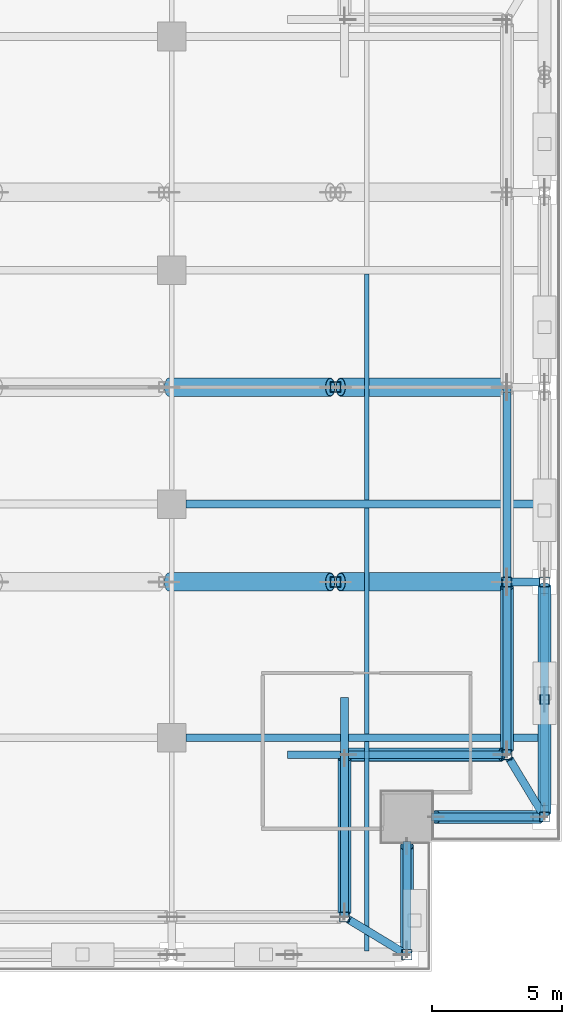
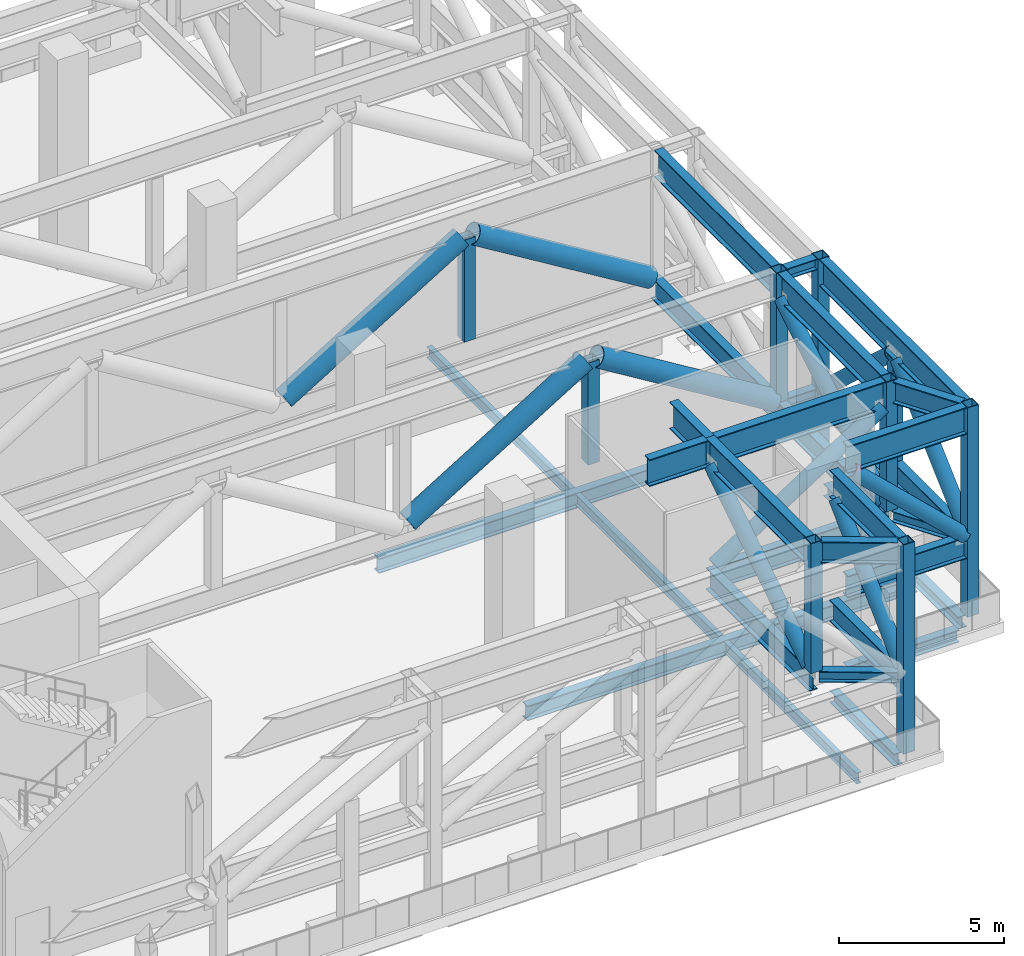
# One storey, part 3 of 15: 36 members, 14 beams.
"""IFC4 building model written with IfcOpenShell, lengths in metres."""

from ifc_helpers import new_model, si_unit, direction, frame, origin, origin_2d, place, context, subcontext, project, spatial, hollow_rectangle, hollow_circle, i_section, extrude, source, transform, mapped, material, material_profile, profile_set, type_object, element, save


model = new_model("IFC4")

# Units and contexts
model_context = context("Model", 3, precision=1e-05, world=origin(), true_north=direction((0.0, 1.0)))
body_context = subcontext(model_context, "Body", "Model", "MODEL_VIEW")
ifc_project = project(units=[si_unit("LENGTHUNIT", "METRE"), si_unit("AREAUNIT", "SQUARE_METRE"), si_unit("VOLUMEUNIT", "CUBIC_METRE"), si_unit("PLANEANGLEUNIT", "RADIAN"), si_unit("MASSUNIT", "GRAM", prefix="KILO")], contexts=[model_context])

# Site, building, storey
site_placement = place(None, origin())
site = spatial("IfcSite", under=ifc_project, at=site_placement, CompositionType="ELEMENT")
building_placement = place(site_placement, origin())
building = spatial("IfcBuilding", under=site, at=building_placement, Name="Khomas Fold Tower", CompositionType="ELEMENT")
storey_placement = place(building_placement, frame((0.0, 0.0, 274.199951171875)))
storey = spatial("IfcBuildingStorey", under=building, at=storey_placement, Name="L62", CompositionType="ELEMENT", Elevation=274.199951171875)

# Beams
ifc_material_1 = material(Name="Steel S355", Category="steel")
ifc_material_profile_1 = material_profile(ifc_material_1, i_section(OverallWidth=0.179931640625, OverallDepth=0.39990234375, WebThickness=0.008544921875, FlangeThickness=0.013427734375, at=origin_2d()), Name="IPE 400")
ifc_profile_set_1 = profile_set([ifc_material_profile_1], Name="Steel S355")
beam_type_1 = type_object("IfcBeamType", Name="IPE 400 beam JB3", PredefinedType="BEAM", material=ifc_profile_set_1)
shared_shape_1 = source(origin(), body_context, "Body", "SweptSolid", [
    extrude(i_section(OverallWidth=0.179931640625, OverallDepth=0.39990234375, WebThickness=0.008544921875, FlangeThickness=0.013427734375, at=origin_2d()), origin(), (0.0, 0.0, 1.0), 8.7001953125),
])
for number, where, z_axis, x_axis, name in (
    (1, (42.0, 13.64990234375, -0.599853515625), (0.0, 1.0, 0.0), (-1.0, 0.0, 0.0), "JB3"),
    (2, (42.0, 22.64990234375, -0.599853515625), (0.0, 1.0, 0.0), (-1.0, 0.0, 0.0), "JB3"),
):
    element("IfcBeam", number, at=place(storey_placement, frame(where, z_axis=z_axis, x_axis=x_axis)), inside=storey, type_object=beam_type_1, Name=name, PredefinedType="BEAM", context=body_context, shape_type="MappedRepresentation", body=[
        mapped(shared_shape_1, transform((0.0, 0.0, 0.0))),
    ])
ifc_material_2 = material(Name="Steel S355", Category="steel")
ifc_material_profile_2 = material_profile(ifc_material_2, i_section(OverallWidth=0.300048828125, OverallDepth=0.449951171875, WebThickness=0.013916015625, FlangeThickness=0.02587890625, at=origin_2d()), Name="HE 450 B")
ifc_profile_set_2 = profile_set([ifc_material_profile_2], Name="Steel S355")
beam_type_2 = type_object("IfcBeamType", Name="HE 450 B spandrel SB4", PredefinedType="SPANDREL", material=ifc_profile_set_2)
shared_shape_2 = source(origin(), body_context, "Body", "SweptSolid", [
    extrude(i_section(OverallWidth=0.300048828125, OverallDepth=0.449951171875, WebThickness=0.013916015625, FlangeThickness=0.02587890625, at=origin_2d()), origin(), (0.0, 0.0, 1.0), 8.150146484375),
])
beam_1_placement = place(storey_placement, frame((48.85009765625, 10.89990234375, -0.625), z_axis=(0.0, 1.0, 0.0), x_axis=(-1.0, 0.0, 0.0)))
element("IfcBeam", 3, at=beam_1_placement, inside=storey, type_object=beam_type_2, Name="SB4", PredefinedType="SPANDREL", context=body_context, shape_type="MappedRepresentation", body=[
    mapped(shared_shape_2, transform((0.0, 0.0, 0.0))),
])
shared_shape_3 = source(origin(), body_context, "Body", "SweptSolid", [
    extrude(i_section(OverallWidth=0.300048828125, OverallDepth=0.449951171875, WebThickness=0.013916015625, FlangeThickness=0.02587890625, at=origin_2d()), origin(), (0.0, 0.0, 1.0), 3.89990234375),
])
for number, where, z_axis, x_axis, name in (
    (4, (43.550048828125, 5.60009765625, -0.625), (0.0, 1.0, 0.0), (-1.0, 0.0, 0.0), "SB4"),
    (5, (44.5, 10.449951171875, -0.625), (1.0, 0.0, 0.0), (0.0, 1.0, 0.0), "SB4"),
):
    element("IfcBeam", number, at=place(storey_placement, frame(where, z_axis=z_axis, x_axis=x_axis)), inside=storey, type_object=beam_type_2, Name=name, PredefinedType="SPANDREL", context=body_context, shape_type="MappedRepresentation", body=[
        mapped(shared_shape_3, transform((0.0, 0.0, 0.0))),
    ])
ifc_material_3 = material(Name="Steel S355", Category="steel")
ifc_material_profile_3 = material_profile(ifc_material_3, i_section(OverallWidth=0.300048828125, OverallDepth=0.550048828125, WebThickness=0.014892578125, FlangeThickness=0.029052734375, at=origin_2d()), Name="HE 550 B")
ifc_profile_set_3 = profile_set([ifc_material_profile_3], Name="Steel S355")
beam_type_3 = type_object("IfcBeamType", Name="HE 550 B beam GB4", PredefinedType="BEAM", material=ifc_profile_set_3)
shared_shape_4 = source(origin(), body_context, "Body", "SweptSolid", [
    extrude(i_section(OverallWidth=0.300048828125, OverallDepth=0.550048828125, WebThickness=0.014892578125, FlangeThickness=0.029052734375, at=origin_2d()), origin(), (0.0, 0.0, 1.0), 13.64990234375),
])
for number, where, z_axis, x_axis, name in (
    (6, (35.050048828125, 13.5, -0.675048828125), (1.0, 0.0, 0.0), (0.0, 1.0, 0.0), "GB4"),
    (7, (35.050048828125, 22.5, -0.675048828125), (1.0, 0.0, 0.0), (0.0, 1.0, 0.0), "GB4"),
):
    element("IfcBeam", number, at=place(storey_placement, frame(where, z_axis=z_axis, x_axis=x_axis)), inside=storey, type_object=beam_type_3, Name=name, PredefinedType="BEAM", context=body_context, shape_type="MappedRepresentation", body=[
        mapped(shared_shape_4, transform((0.0, 0.0, 0.0))),
    ])
shared_shape_5 = source(origin(), body_context, "Body", "SweptSolid", [
    extrude(i_section(OverallWidth=0.179931640625, OverallDepth=0.39990234375, WebThickness=0.008544921875, FlangeThickness=0.013427734375, at=origin_2d()), origin(), (0.0, 0.0, 1.0), 8.050048828125),
])
beam_2_placement = place(storey_placement, frame((42.0, 5.300048828125, -0.599853515625), z_axis=(0.0, 1.0, 0.0), x_axis=(-1.0, 0.0, 0.0)))
element("IfcBeam", 8, at=beam_2_placement, inside=storey, type_object=beam_type_1, Name="JB3", PredefinedType="BEAM", context=body_context, shape_type="MappedRepresentation", body=[
    mapped(shared_shape_5, transform((0.0, 0.0, 0.0))),
])

# Members
ifc_material_4 = material(Name="Steel S460M", Category="steel")
ifc_material_profile_4 = material_profile(ifc_material_4, i_section(OverallWidth=0.300048828125, OverallDepth=1.0, WebThickness=0.01904296875, FlangeThickness=0.035888671875, at=origin_2d()), Name="HE 1000 B")
ifc_profile_set_4 = profile_set([ifc_material_profile_4], Name="Steel S460M")
member_type_1 = type_object("IfcMemberType", Name="BELT TRUSS 4 TOP CHORD HE 1000 B", PredefinedType="CHORD", material=ifc_profile_set_4)
shared_shape_6 = source(origin(), body_context, "Body", "SweptSolid", [
    extrude(i_section(OverallWidth=0.300048828125, OverallDepth=1.0, WebThickness=0.01904296875, FlangeThickness=0.035888671875, at=origin_2d()), origin(), (0.0, 0.0, 1.0), 8.650146484375),
])
member_1_placement = place(storey_placement, frame((48.85009765625, 10.64990234375, 7.25), z_axis=(0.0, 1.0, 0.0), x_axis=(-1.0, 0.0, 0.0)))
element("IfcMember", 9, at=member_1_placement, inside=storey, type_object=member_type_1, Name="BT4-CT", PredefinedType="CHORD", context=body_context, shape_type="MappedRepresentation", body=[
    mapped(shared_shape_6, transform((0.0, 0.0, 0.0))),
])
ifc_material_5 = material(Name="Steel S460M", Category="steel")
ifc_material_profile_5 = material_profile(ifc_material_5, i_section(OverallWidth=0.300048828125, OverallDepth=0.800048828125, WebThickness=0.017578125, FlangeThickness=0.032958984375, at=origin_2d()), Name="HE 800 B")
ifc_profile_set_5 = profile_set([ifc_material_profile_5], Name="Steel S460M")
member_type_2 = type_object("IfcMemberType", Name="BELT TRUSS 4 BOTTOM CHORD HE 800 B", PredefinedType="CHORD", material=ifc_profile_set_5)
shared_shape_7 = source(origin(), body_context, "Body", "SweptSolid", [
    extrude(i_section(OverallWidth=0.300048828125, OverallDepth=0.800048828125, WebThickness=0.017578125, FlangeThickness=0.032958984375, at=origin_2d()), origin(), (0.0, 0.0, 1.0), 8.650146484375),
])
member_2_placement = place(storey_placement, frame((48.85009765625, 10.64990234375, 2.550048828125), z_axis=(0.0, 1.0, 0.0), x_axis=(-1.0, 0.0, 0.0)))
element("IfcMember", 10, at=member_2_placement, inside=storey, type_object=member_type_2, Name="BT4-CB", PredefinedType="CHORD", context=body_context, shape_type="MappedRepresentation", body=[
    mapped(shared_shape_7, transform((0.0, 0.0, 0.0))),
])
ifc_material_6 = material(Name="Steel S355", Category="steel")
ifc_material_profile_6 = material_profile(ifc_material_6, hollow_circle(Radius=0.25390625, WallThickness=0.02001953125, at=origin_2d()), Name="CHS 508x20")
ifc_profile_set_6 = profile_set([ifc_material_profile_6], Name="Steel S355")
member_type_3 = type_object("IfcMemberType", Name="BELT TRUSS 4 DIAGONAL CHS 508x20", PredefinedType="BRACE", material=ifc_profile_set_6)
shared_shape_8 = source(origin(), body_context, "Body", "SweptSolid", [
    extrude(hollow_circle(Radius=0.25390625, WallThickness=0.02001953125, at=origin_2d()), origin(), (0.0, 0.0, 1.0), 5.6337890625),
])
for number, where, z_axis, x_axis, name in (
    (11, (48.85009765625, 10.64990234375, 2.945068359375), (0.0, 0.736644872109, 0.676279773759), (-1.0, 0.0, 0.0), "BT4-D"),
    (12, (48.85009765625, 15.14990234375, 6.755126953125), (0.0, 0.736644872109, -0.676279773759), (-1.0, 0.0, 0.0), "BT4-D"),
):
    element("IfcMember", number, at=place(storey_placement, frame(where, z_axis=z_axis, x_axis=x_axis)), inside=storey, type_object=member_type_3, Name=name, PredefinedType="BRACE", context=body_context, shape_type="MappedRepresentation", body=[
        mapped(shared_shape_8, transform((0.0, 0.0, 0.0))),
    ])
ifc_material_7 = material(Name="Steel S355", Category="steel")
ifc_material_profile_7 = material_profile(ifc_material_7, hollow_rectangle(XDim=0.35009765625, YDim=0.35009765625, WallThickness=0.02001953125, at=origin_2d()), Name="SHS 350x350x20")
ifc_profile_set_7 = profile_set([ifc_material_profile_7], Name="Steel S355")
member_type_4 = type_object("IfcMemberType", Name="BELT TRUSS 4 MID POST SHS 350x350x20", PredefinedType="POST", material=ifc_profile_set_7)
shared_shape_9 = source(origin(), body_context, "Body", "SweptSolid", [
    extrude(hollow_rectangle(XDim=0.35009765625, YDim=0.35009765625, WallThickness=0.02001953125, at=origin_2d()), origin(), (0.0, 0.0, 1.0), 3.800048828125),
])
member_3_placement = place(storey_placement, frame((48.85009765625, 14.97509765625, 2.949951171875), z_axis=(0.0, 0.0, 1.0), x_axis=(1.0, 0.0, 0.0)))
element("IfcMember", 13, at=member_3_placement, inside=storey, type_object=member_type_4, Name="BT4-M", PredefinedType="POST", context=body_context, shape_type="MappedRepresentation", body=[
    mapped(shared_shape_9, transform((0.0, 0.0, 0.0))),
])
shared_shape_10 = source(origin(), body_context, "Body", "SweptSolid", [
    extrude(i_section(OverallWidth=0.300048828125, OverallDepth=1.0, WebThickness=0.01904296875, FlangeThickness=0.035888671875, at=origin_2d()), origin(), (0.0, 0.0, 1.0), 7.10009765625),
])
member_4_placement = place(storey_placement, frame((47.39990234375, 19.699951171875, 7.25), z_axis=(0.0, 1.0, 0.0), x_axis=(-1.0, 0.0, 0.0)))
element("IfcMember", 14, at=member_4_placement, inside=storey, type_object=member_type_1, Name="BT4-CT", PredefinedType="CHORD", context=body_context, shape_type="MappedRepresentation", body=[
    mapped(shared_shape_10, transform((0.0, 0.0, 0.0))),
])
ifc_material_8 = material(Name="Steel S460M", Category="steel")
ifc_material_profile_8 = material_profile(ifc_material_8, i_section(OverallWidth=0.300048828125, OverallDepth=1.0, WebThickness=0.01904296875, FlangeThickness=0.035888671875, at=origin_2d()), Name="HE 1000 B")
ifc_profile_set_8 = profile_set([ifc_material_profile_8], Name="Steel S460M")
member_type_5 = type_object("IfcMemberType", Name="BELT TRUSS 4 TOP CHORD SHORT HE 1000 B", PredefinedType="CHORD", material=ifc_profile_set_8)
shared_shape_11 = source(origin(), body_context, "Body", "SweptSolid", [
    extrude(i_section(OverallWidth=0.300048828125, OverallDepth=1.0, WebThickness=0.01904296875, FlangeThickness=0.035888671875, at=origin_2d()), origin(), (0.0, 0.0, 1.0), 4.14990234375),
])
for number, where, z_axis, x_axis, name in (
    (15, (43.550048828125, 5.35009765625, 7.25), (0.0, 1.0, 0.0), (-1.0, 0.0, 0.0), "BT4-CTS"),
    (16, (48.64990234375, 10.449951171875, 7.25), (-1.0, 0.0, 0.0), (0.0, -1.0, 0.0), "BT4-CTS"),
):
    element("IfcMember", number, at=place(storey_placement, frame(where, z_axis=z_axis, x_axis=x_axis)), inside=storey, type_object=member_type_5, Name=name, PredefinedType="CHORD", context=body_context, shape_type="MappedRepresentation", body=[
        mapped(shared_shape_11, transform((0.0, 0.0, 0.0))),
    ])
ifc_material_9 = material(Name="Steel S460M", Category="steel")
ifc_material_profile_9 = material_profile(ifc_material_9, i_section(OverallWidth=0.300048828125, OverallDepth=0.800048828125, WebThickness=0.017578125, FlangeThickness=0.032958984375, at=origin_2d()), Name="HE 800 B")
ifc_profile_set_9 = profile_set([ifc_material_profile_9], Name="Steel S460M")
member_type_6 = type_object("IfcMemberType", Name="BELT TRUSS 4 BOTTOM CHORD SHORT HE 800 B", PredefinedType="CHORD", material=ifc_profile_set_9)
shared_shape_12 = source(origin(), body_context, "Body", "SweptSolid", [
    extrude(i_section(OverallWidth=0.300048828125, OverallDepth=0.800048828125, WebThickness=0.017578125, FlangeThickness=0.032958984375, at=origin_2d()), origin(), (0.0, 0.0, 1.0), 4.14990234375),
])
for number, where, z_axis, x_axis, name in (
    (17, (43.550048828125, 5.35009765625, 2.550048828125), (0.0, 1.0, 0.0), (-1.0, 0.0, 0.0), "BT4-CBS"),
    (18, (48.64990234375, 10.449951171875, 2.550048828125), (-1.0, 0.0, 0.0), (0.0, -1.0, 0.0), "BT4-CBS"),
):
    element("IfcMember", number, at=place(storey_placement, frame(where, z_axis=z_axis, x_axis=x_axis)), inside=storey, type_object=member_type_6, Name=name, PredefinedType="CHORD", context=body_context, shape_type="MappedRepresentation", body=[
        mapped(shared_shape_12, transform((0.0, 0.0, 0.0))),
    ])
shared_shape_13 = source(origin(), body_context, "Body", "SweptSolid", [
    extrude(hollow_circle(Radius=0.25390625, WallThickness=0.02001953125, at=origin_2d()), origin(), (0.0, 0.0, 1.0), 5.508544921875),
])
for number, where, z_axis, x_axis, name in (
    (19, (43.550048828125, 5.35009765625, 2.945068359375), (0.0, 0.722210494752, 0.691673334219), (-1.0, 0.0, 0.0), "BT4-D"),
    (20, (48.64990234375, 10.449951171875, 2.945068359375), (-0.722210494752, 0.0, 0.691673334219), (0.0, -1.0, 0.0), "BT4-D"),
):
    element("IfcMember", number, at=place(storey_placement, frame(where, z_axis=z_axis, x_axis=x_axis)), inside=storey, type_object=member_type_3, Name=name, PredefinedType="BRACE", context=body_context, shape_type="MappedRepresentation", body=[
        mapped(shared_shape_13, transform((0.0, 0.0, 0.0))),
    ])
shared_shape_14 = source(origin(), body_context, "Body", "SweptSolid", [
    extrude(i_section(OverallWidth=0.300048828125, OverallDepth=1.0, WebThickness=0.01904296875, FlangeThickness=0.035888671875, at=origin_2d()), origin(), (0.0, 0.0, 1.0), 6.25),
])
member_5_placement = place(storey_placement, frame((47.39990234375, 13.050048828125, 7.25), z_axis=(0.0, 1.0, 0.0), x_axis=(-1.0, 0.0, 0.0)))
element("IfcMember", 21, at=member_5_placement, inside=storey, type_object=member_type_1, Name="BT4-CT", PredefinedType="CHORD", context=body_context, shape_type="MappedRepresentation", body=[
    mapped(shared_shape_14, transform((0.0, 0.0, 0.0))),
])
shared_shape_15 = source(origin(), body_context, "Body", "SweptSolid", [
    extrude(hollow_circle(Radius=0.25390625, WallThickness=0.02001953125, at=origin_2d()), origin(), (0.0, 0.0, 1.0), 7.31982421875),
])
member_6_placement = place(storey_placement, frame((47.39990234375, 13.050048828125, 2.945068359375), z_axis=(0.0, 0.853851856649, 0.520516096674), x_axis=(-1.0, 0.0, 0.0)))
element("IfcMember", 22, at=member_6_placement, inside=storey, type_object=member_type_3, Name="BT4-D", PredefinedType="BRACE", context=body_context, shape_type="MappedRepresentation", body=[
    mapped(shared_shape_15, transform((0.0, 0.0, 0.0))),
])
shared_shape_16 = source(origin(), body_context, "Body", "SweptSolid", [
    extrude(i_section(OverallWidth=0.300048828125, OverallDepth=0.800048828125, WebThickness=0.017578125, FlangeThickness=0.032958984375, at=origin_2d()), origin(), (0.0, 0.0, 1.0), 7.5),
])
member_7_placement = place(storey_placement, frame((47.39990234375, 19.5, 2.550048828125), z_axis=(0.0, 1.0, 0.0), x_axis=(-1.0, 0.0, 0.0)))
element("IfcMember", 23, at=member_7_placement, inside=storey, type_object=member_type_2, Name="BT4-CB", PredefinedType="CHORD", context=body_context, shape_type="MappedRepresentation", body=[
    mapped(shared_shape_16, transform((0.0, 0.0, 0.0))),
])
shared_shape_17 = source(origin(), body_context, "Body", "SweptSolid", [
    extrude(i_section(OverallWidth=0.300048828125, OverallDepth=0.800048828125, WebThickness=0.017578125, FlangeThickness=0.032958984375, at=origin_2d()), origin(), (0.0, 0.0, 1.0), 6.64990234375),
])
member_8_placement = place(storey_placement, frame((47.39990234375, 12.85009765625, 2.550048828125), z_axis=(0.0, 1.0, 0.0), x_axis=(-1.0, 0.0, 0.0)))
element("IfcMember", 24, at=member_8_placement, inside=storey, type_object=member_type_2, Name="BT4-CB", PredefinedType="CHORD", context=body_context, shape_type="MappedRepresentation", body=[
    mapped(shared_shape_17, transform((0.0, 0.0, 0.0))),
])
shared_shape_18 = source(origin(), body_context, "Body", "SweptSolid", [
    extrude(i_section(OverallWidth=0.300048828125, OverallDepth=1.0, WebThickness=0.01904296875, FlangeThickness=0.035888671875, at=origin_2d()), origin(), (0.0, 0.0, 1.0), 6.050048828125),
])
member_9_placement = place(storey_placement, frame((41.14990234375, 6.800048828125, 7.25), z_axis=(0.0, 1.0, 0.0), x_axis=(-1.0, 0.0, 0.0)))
element("IfcMember", 25, at=member_9_placement, inside=storey, type_object=member_type_5, Name="BT4-CTS", PredefinedType="CHORD", context=body_context, shape_type="MappedRepresentation", body=[
    mapped(shared_shape_18, transform((0.0, 0.0, 0.0))),
])
shared_shape_19 = source(origin(), body_context, "Body", "SweptSolid", [
    extrude(i_section(OverallWidth=0.300048828125, OverallDepth=0.800048828125, WebThickness=0.017578125, FlangeThickness=0.032958984375, at=origin_2d()), origin(), (0.0, 0.0, 1.0), 6.25),
])
member_10_placement = place(storey_placement, frame((41.14990234375, 6.60009765625, 2.550048828125), z_axis=(0.0, 1.0, 0.0), x_axis=(-1.0, 0.0, 0.0)))
element("IfcMember", 26, at=member_10_placement, inside=storey, type_object=member_type_2, Name="BT4-CB", PredefinedType="CHORD", context=body_context, shape_type="MappedRepresentation", body=[
    mapped(shared_shape_19, transform((0.0, 0.0, 0.0))),
])
shared_shape_20 = source(origin(), body_context, "Body", "SweptSolid", [
    extrude(hollow_circle(Radius=0.25390625, WallThickness=0.02001953125, at=origin_2d()), origin(), (0.0, 0.0, 1.0), 7.03564453125),
])
member_11_placement = place(storey_placement, frame((41.14990234375, 6.800048828125, 2.945068359375), z_axis=(0.0, 0.840680917797, 0.541530788093), x_axis=(-1.0, 0.0, 0.0)))
element("IfcMember", 27, at=member_11_placement, inside=storey, type_object=member_type_3, Name="BT4-D", PredefinedType="BRACE", context=body_context, shape_type="MappedRepresentation", body=[
    mapped(shared_shape_20, transform((0.0, 0.0, 0.0))),
])
shared_shape_21 = source(origin(), body_context, "Body", "SweptSolid", [
    extrude(i_section(OverallWidth=0.300048828125, OverallDepth=1.0, WebThickness=0.01904296875, FlangeThickness=0.035888671875, at=origin_2d()), origin(), (0.0, 0.0, 1.0), 5.89990234375),
])
member_12_placement = place(storey_placement, frame((47.199951171875, 12.85009765625, 7.25), z_axis=(-1.0, 0.0, 0.0), x_axis=(0.0, -1.0, 0.0)))
element("IfcMember", 28, at=member_12_placement, inside=storey, type_object=member_type_5, Name="BT4-CTS", PredefinedType="CHORD", context=body_context, shape_type="MappedRepresentation", body=[
    mapped(shared_shape_21, transform((0.0, 0.0, 0.0))),
])
shared_shape_22 = source(origin(), body_context, "Body", "SweptSolid", [
    extrude(i_section(OverallWidth=0.300048828125, OverallDepth=0.800048828125, WebThickness=0.017578125, FlangeThickness=0.032958984375, at=origin_2d()), origin(), (0.0, 0.0, 1.0), 5.949951171875),
])
member_13_placement = place(storey_placement, frame((47.25, 12.85009765625, 2.550048828125), z_axis=(-1.0, 0.0, 0.0), x_axis=(0.0, -1.0, 0.0)))
element("IfcMember", 29, at=member_13_placement, inside=storey, type_object=member_type_6, Name="BT4-CBS", PredefinedType="CHORD", context=body_context, shape_type="MappedRepresentation", body=[
    mapped(shared_shape_22, transform((0.0, 0.0, 0.0))),
])
shared_shape_23 = source(origin(), body_context, "Body", "SweptSolid", [
    extrude(hollow_circle(Radius=0.25390625, WallThickness=0.02001953125, at=origin_2d()), origin(), (0.0, 0.0, 1.0), 7.023193359375),
])
member_14_placement = place(storey_placement, frame((47.199951171875, 12.85009765625, 6.755126953125), z_axis=(-0.840058520302, 0.0, -0.542495790277), x_axis=(0.0, -1.0, 0.0)))
element("IfcMember", 30, at=member_14_placement, inside=storey, type_object=member_type_3, Name="BT4-D", PredefinedType="BRACE", context=body_context, shape_type="MappedRepresentation", body=[
    mapped(shared_shape_23, transform((0.0, 0.0, 0.0))),
])
ifc_material_10 = material(Name="Steel S460M", Category="steel")
ifc_material_profile_10 = material_profile(ifc_material_10, i_section(OverallWidth=0.300048828125, OverallDepth=1.0, WebThickness=0.01904296875, FlangeThickness=0.035888671875, at=origin_2d()), Name="HE 1000 B")
ifc_profile_set_10 = profile_set([ifc_material_profile_10], Name="Steel S460M")
member_type_7 = type_object("IfcMemberType", Name="BELT TRUSS 4 TOP CHORD SHORTER HE 1000 B", PredefinedType="CHORD", material=ifc_profile_set_10)
shared_shape_24 = source(origin(), body_context, "Body", "SweptSolid", [
    extrude(i_section(OverallWidth=0.300048828125, OverallDepth=1.0, WebThickness=0.01904296875, FlangeThickness=0.035888671875, at=origin_2d()), origin(), (0.0, 0.0, 1.0), 2.199951171875),
])
member_15_placement = place(storey_placement, frame((41.14990234375, 12.85009765625, 7.25), z_axis=(0.0, 1.0, 0.0), x_axis=(-1.0, 0.0, 0.0)))
element("IfcMember", 31, at=member_15_placement, inside=storey, type_object=member_type_7, Name="BT4-CTSS", PredefinedType="CHORD", context=body_context, shape_type="MappedRepresentation", body=[
    mapped(shared_shape_24, transform((0.0, 0.0, 0.0))),
])
shared_shape_25 = source(origin(), body_context, "Body", "SweptSolid", [
    extrude(i_section(OverallWidth=0.300048828125, OverallDepth=1.0, WebThickness=0.01904296875, FlangeThickness=0.035888671875, at=origin_2d()), origin(), (0.0, 0.0, 1.0), 2.050048828125),
])
member_16_placement = place(storey_placement, frame((41.0, 12.85009765625, 7.25), z_axis=(-1.0, 0.0, 0.0), x_axis=(0.0, -1.0, 0.0)))
element("IfcMember", 32, at=member_16_placement, inside=storey, type_object=member_type_7, Name="BT4-CTSS", PredefinedType="CHORD", context=body_context, shape_type="MappedRepresentation", body=[
    mapped(shared_shape_25, transform((0.0, 0.0, 0.0))),
])
ifc_material_11 = material(Name="Steel S460M", Category="steel")
ifc_material_profile_11 = material_profile(ifc_material_11, hollow_rectangle(XDim=0.39990234375, YDim=0.39990234375, WallThickness=0.02490234375, at=origin_2d()), Name="SHS 400x400x25")
ifc_profile_set_11 = profile_set([ifc_material_profile_11], Name="Steel S460M")
member_type_8 = type_object("IfcMemberType", Name="BELT TRUSS 4 COLUMN POST SHS 400x400x25", PredefinedType="POST", material=ifc_profile_set_11)
shared_shape_26 = source(origin(), body_context, "Body", "SweptSolid", [
    extrude(hollow_rectangle(XDim=0.39990234375, YDim=0.39990234375, WallThickness=0.02490234375, at=origin_2d()), origin(), (0.0, 0.0, 1.0), 7.75),
])
for number, where, z_axis, x_axis, name in (
    (33, (43.550048828125, 5.14990234375, 0.0), (0.0, 0.0, 1.0), (1.0, 0.0, 0.0), "BT4-P"),
    (34, (48.85009765625, 10.449951171875, 0.0), (0.0, 0.0, 1.0), (1.0, 0.0, 0.0), "BT4-P"),
    (35, (48.85009765625, 19.5, 0.0), (0.0, 0.0, 1.0), (1.0, 0.0, 0.0), "BT4-P"),
):
    element("IfcMember", number, at=place(storey_placement, frame(where, z_axis=z_axis, x_axis=x_axis)), inside=storey, type_object=member_type_8, Name=name, PredefinedType="POST", context=body_context, shape_type="MappedRepresentation", body=[
        mapped(shared_shape_26, transform((0.0, 0.0, 0.0))),
    ])
ifc_material_12 = material(Name="Steel S460M", Category="steel")
ifc_material_profile_12 = material_profile(ifc_material_12, hollow_rectangle(XDim=0.39990234375, YDim=0.39990234375, WallThickness=0.02490234375, at=origin_2d()), Name="SHS 400x400x25")
ifc_profile_set_12 = profile_set([ifc_material_profile_12], Name="Steel S460M")
member_type_9 = type_object("IfcMemberType", Name="BELT TRUSS 4 COLUMN POST SHORT SHS 400x400x25", PredefinedType="POST", material=ifc_profile_set_12)
shared_shape_27 = source(origin(), body_context, "Body", "SweptSolid", [
    extrude(hollow_rectangle(XDim=0.39990234375, YDim=0.39990234375, WallThickness=0.02490234375, at=origin_2d()), origin(), (0.0, 0.0, 1.0), 4.800048828125),
])
for number, where, z_axis, x_axis, name in (
    (36, (41.14990234375, 6.60009765625, 2.949951171875), (0.0, 0.0, 1.0), (1.0, 0.0, 0.0), "BT4-PS"),
    (37, (47.39990234375, 12.85009765625, 2.949951171875), (0.0, 0.0, 1.0), (1.0, 0.0, 0.0), "BT4-PS"),
    (38, (47.39990234375, 19.5, 2.949951171875), (0.0, 0.0, 1.0), (1.0, 0.0, 0.0), "BT4-PS"),
):
    element("IfcMember", number, at=place(storey_placement, frame(where, z_axis=z_axis, x_axis=x_axis)), inside=storey, type_object=member_type_9, Name=name, PredefinedType="POST", context=body_context, shape_type="MappedRepresentation", body=[
        mapped(shared_shape_27, transform((0.0, 0.0, 0.0))),
    ])

# Beams
ifc_material_13 = material(Name="Steel S460M", Category="steel")
ifc_material_profile_13 = material_profile(ifc_material_13, i_section(OverallWidth=0.300048828125, OverallDepth=0.800048828125, WebThickness=0.017578125, FlangeThickness=0.032958984375, at=origin_2d()), Name="HE 800 B")
ifc_profile_set_13 = profile_set([ifc_material_profile_13], Name="Steel S460M")
beam_type_4 = type_object("IfcBeamType", Name="BELT TRUSS 4 TOP TRANSFER STRUT HE 800 B", PredefinedType="BEAM", material=ifc_profile_set_13)
shared_shape_28 = source(origin(), body_context, "Body", "SweptSolid", [
    extrude(i_section(OverallWidth=0.300048828125, OverallDepth=0.800048828125, WebThickness=0.017578125, FlangeThickness=0.032958984375, at=origin_2d()), origin(), (0.0, 0.0, 1.0), 2.336669921875),
])
for number, where, z_axis, x_axis, name in (
    (39, (47.520751953125, 12.64990234375, 7.35009765625), (0.51716666552, -0.855884711906, 0.0), (0.855884711906, 0.51716666552, 0.0), "BT4-STD"),
    (40, (41.35009765625, 6.479248046875, 7.35009765625), (0.855884711906, -0.51716666552, 0.0), (0.51716666552, 0.855884711906, 0.0), "BT4-STD"),
):
    element("IfcBeam", number, at=place(storey_placement, frame(where, z_axis=z_axis, x_axis=x_axis)), inside=storey, type_object=beam_type_4, Name=name, PredefinedType="BEAM", context=body_context, shape_type="MappedRepresentation", body=[
        mapped(shared_shape_28, transform((0.0, 0.0, 0.0))),
    ])
ifc_material_14 = material(Name="Steel S355", Category="steel")
ifc_material_profile_14 = material_profile(ifc_material_14, i_section(OverallWidth=0.300048828125, OverallDepth=0.39990234375, WebThickness=0.013427734375, FlangeThickness=0.02392578125, at=origin_2d()), Name="HE 400 B")
ifc_profile_set_14 = profile_set([ifc_material_profile_14], Name="Steel S355")
beam_type_5 = type_object("IfcBeamType", Name="BELT TRUSS 4 BOTTOM STRUT LONG HE 400 B", PredefinedType="BEAM", material=ifc_profile_set_14)
shared_shape_29 = source(origin(), body_context, "Body", "SweptSolid", [
    extrude(i_section(OverallWidth=0.300048828125, OverallDepth=0.39990234375, WebThickness=0.013427734375, FlangeThickness=0.02392578125, at=origin_2d()), origin(), (0.0, 0.0, 1.0), 2.39501953125),
])
for number, where, z_axis, x_axis, name in (
    (41, (47.49072265625, 12.699951171875, 2.75), (0.51710163837, -0.855924001063, 0.0), (0.855924001063, 0.51710163837, 0.0), "BT4-SBL"),
    (42, (41.300048828125, 6.50927734375, 2.75), (0.855924001063, -0.51710163837, 0.0), (0.51710163837, 0.855924001063, 0.0), "BT4-SBL"),
):
    element("IfcBeam", number, at=place(storey_placement, frame(where, z_axis=z_axis, x_axis=x_axis)), inside=storey, type_object=beam_type_5, Name=name, PredefinedType="BEAM", context=body_context, shape_type="MappedRepresentation", body=[
        mapped(shared_shape_29, transform((0.0, 0.0, 0.0))),
    ])
ifc_material_15 = material(Name="Steel S355", Category="steel")
ifc_material_profile_15 = material_profile(ifc_material_15, i_section(OverallWidth=0.300048828125, OverallDepth=0.39990234375, WebThickness=0.013427734375, FlangeThickness=0.02392578125, at=origin_2d()), Name="HE 400 B")
ifc_profile_set_15 = profile_set([ifc_material_profile_15], Name="Steel S355")
beam_type_6 = type_object("IfcBeamType", Name="BELT TRUSS 4 TOP STRUT HE 400 B", PredefinedType="BEAM", material=ifc_profile_set_15)
shared_shape_30 = source(origin(), body_context, "Body", "SweptSolid", [
    extrude(i_section(OverallWidth=0.300048828125, OverallDepth=0.39990234375, WebThickness=0.013427734375, FlangeThickness=0.02392578125, at=origin_2d()), origin(), (0.0, 0.0, 1.0), 1.0498046875),
])
beam_3_placement = place(storey_placement, frame((47.60009765625, 19.5, 7.550048828125), z_axis=(1.0, 0.0, 0.0), x_axis=(0.0, 1.0, 0.0)))
element("IfcBeam", 43, at=beam_3_placement, inside=storey, type_object=beam_type_6, Name="BT4-ST", PredefinedType="BEAM", context=body_context, shape_type="MappedRepresentation", body=[
    mapped(shared_shape_30, transform((0.0, 0.0, 0.0))),
])
ifc_material_16 = material(Name="Steel S355", Category="steel")
ifc_material_profile_16 = material_profile(ifc_material_16, i_section(OverallWidth=0.300048828125, OverallDepth=0.39990234375, WebThickness=0.013427734375, FlangeThickness=0.02392578125, at=origin_2d()), Name="HE 400 B")
ifc_profile_set_16 = profile_set([ifc_material_profile_16], Name="Steel S355")
beam_type_7 = type_object("IfcBeamType", Name="BELT TRUSS 4 BOTTOM STRUT HE 400 B", PredefinedType="BEAM", material=ifc_profile_set_16)
shared_shape_31 = source(origin(), body_context, "Body", "SweptSolid", [
    extrude(i_section(OverallWidth=0.300048828125, OverallDepth=0.39990234375, WebThickness=0.013427734375, FlangeThickness=0.02392578125, at=origin_2d()), origin(), (0.0, 0.0, 1.0), 1.099853515625),
])
beam_4_placement = place(storey_placement, frame((47.550048828125, 19.5, 2.75), z_axis=(1.0, 0.0, 0.0), x_axis=(0.0, 1.0, 0.0)))
element("IfcBeam", 44, at=beam_4_placement, inside=storey, type_object=beam_type_7, Name="BT4-SB", PredefinedType="BEAM", context=body_context, shape_type="MappedRepresentation", body=[
    mapped(shared_shape_31, transform((0.0, 0.0, 0.0))),
])

# Members
ifc_material_17 = material(Name="Steel S355", Category="steel")
ifc_material_profile_17 = material_profile(ifc_material_17, hollow_circle(Radius=0.35546875, WallThickness=0.02490234375, at=origin_2d()), Name="CHS 711x25")
ifc_profile_set_17 = profile_set([ifc_material_profile_17], Name="Steel S355")
member_type_10 = type_object("IfcMemberType", Name="OUTRIGGER 3 DIAGONAL CHS 711x25", PredefinedType="BRACE", material=ifc_profile_set_17)
shared_shape_32 = source(origin(), body_context, "Body", "SweptSolid", [
    extrude(hollow_circle(Radius=0.35546875, WallThickness=0.02490234375, at=origin_2d()), origin(), (0.0, 0.0, 1.0), 7.265625),
])
for number, where, z_axis, x_axis, name in (
    (45, (41.0, 19.5, 6.7470703125), (0.85332917533, 0.0, -0.52137253335), (0.0, 1.0, 0.0), "OR3-D"),
    (46, (41.0, 27.0, 6.7470703125), (0.85332917533, 0.0, -0.52137253335), (0.0, 1.0, 0.0), "OR3-D"),
):
    element("IfcMember", number, at=place(storey_placement, frame(where, z_axis=z_axis, x_axis=x_axis)), inside=storey, type_object=member_type_10, Name=name, PredefinedType="BRACE", context=body_context, shape_type="MappedRepresentation", body=[
        mapped(shared_shape_32, transform((0.0, 0.0, 0.0))),
    ])
shared_shape_33 = source(origin(), body_context, "Body", "SweptSolid", [
    extrude(hollow_circle(Radius=0.35546875, WallThickness=0.02490234375, at=origin_2d()), origin(), (0.0, 0.0, 1.0), 7.265869140625),
])
for number, where, z_axis, x_axis, name in (
    (47, (34.39990234375, 19.5, 2.958984375), (0.853338309014, 0.0, 0.521357583976), (0.0, 1.0, 0.0), "OR3-D"),
    (48, (34.39990234375, 27.0, 2.958984375), (0.853338309014, 0.0, 0.521357583976), (0.0, 1.0, 0.0), "OR3-D"),
):
    element("IfcMember", number, at=place(storey_placement, frame(where, z_axis=z_axis, x_axis=x_axis)), inside=storey, type_object=member_type_10, Name=name, PredefinedType="BRACE", context=body_context, shape_type="MappedRepresentation", body=[
        mapped(shared_shape_33, transform((0.0, 0.0, 0.0))),
    ])
ifc_material_18 = material(Name="Steel S460M", Category="steel")
ifc_material_profile_18 = material_profile(ifc_material_18, hollow_rectangle(XDim=0.39990234375, YDim=0.39990234375, WallThickness=0.02001953125, at=origin_2d()), Name="SHS 400x400x20")
ifc_profile_set_18 = profile_set([ifc_material_profile_18], Name="Steel S460M")
member_type_11 = type_object("IfcMemberType", Name="OUTRIGGER 3 MID POST SHS 400x400x20", PredefinedType="POST", material=ifc_profile_set_18)
shared_shape_34 = source(origin(), body_context, "Body", "SweptSolid", [
    extrude(hollow_rectangle(XDim=0.39990234375, YDim=0.39990234375, WallThickness=0.02001953125, at=origin_2d()), origin(), (0.0, 0.0, 1.0), 3.77783203125),
])
for number, where, z_axis, x_axis, name in (
    (49, (40.800048828125, 19.5, 2.964111328125), (0.0, 0.0, 1.0), (1.0, 0.0, 0.0), "OR3-M"),
    (50, (40.800048828125, 27.0, 2.964111328125), (0.0, 0.0, 1.0), (1.0, 0.0, 0.0), "OR3-M"),
):
    element("IfcMember", number, at=place(storey_placement, frame(where, z_axis=z_axis, x_axis=x_axis)), inside=storey, type_object=member_type_11, Name=name, PredefinedType="POST", context=body_context, shape_type="MappedRepresentation", body=[
        mapped(shared_shape_34, transform((0.0, 0.0, 0.0))),
    ])

save(model, "model.ifc")
